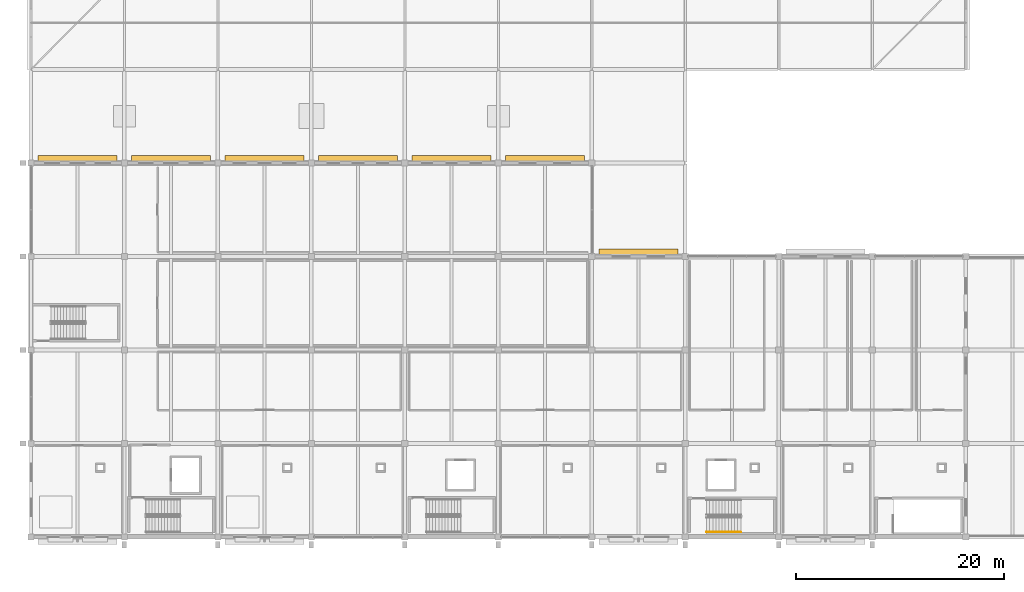
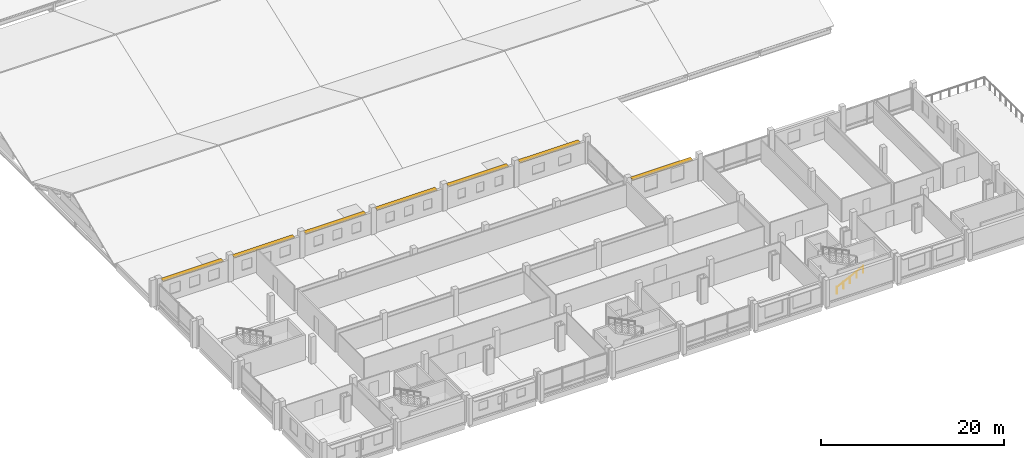
# One storey, part 159 of 163: 7 shading devices, 1 railing.
"""IFC4 building model written with IfcOpenShell, lengths in metres."""

from ifc_helpers import new_model, si_unit, direction, frame, origin, origin_2d, place, context, subcontext, project, spatial, rectangle, circle, extrude, material, layer, layer_set, type_object, element, save


model = new_model("IFC4")

# Units and contexts
model_context = context("Model", 3, precision=1e-05, world=origin(), true_north=direction((0.0, 1.0)))
body_context = subcontext(model_context, "Body", "Model", "MODEL_VIEW")
ifc_project = project(units=[si_unit("LENGTHUNIT", "METRE"), si_unit("AREAUNIT", "SQUARE_METRE"), si_unit("VOLUMEUNIT", "CUBIC_METRE"), si_unit("PLANEANGLEUNIT", "RADIAN"), si_unit("MASSUNIT", "GRAM", prefix="KILO")], contexts=[model_context])

# Site, building, storey
site_placement = place(None, origin())
site = spatial("IfcSite", under=ifc_project, at=site_placement, CompositionType="ELEMENT")
building_placement = place(site_placement, origin())
building = spatial("IfcBuilding", under=site, at=building_placement, Name="Tharagai Park Tramway Depot", CompositionType="ELEMENT")
storey_placement = place(building_placement, frame((0.0, 0.0, 8.39990234375)))
storey = spatial("IfcBuildingStorey", under=building, at=storey_placement, Name="L02", CompositionType="ELEMENT", Elevation=8.39990234375)

# Railing
ifc_material_1 = material(Name="Galvanised steel", Category="steel")
railing_type = type_object("IfcRailingType", Name="HR-03", PredefinedType="HANDRAIL", material=ifc_material_1)
railing_placement = place(storey_placement, frame((65.0400390625, 0.449951171875, 0.150146484375)))
element("IfcRailing", 1, at=railing_placement, inside=storey, type_object=railing_type, Name="L02 ST-04 stair handrail 1", PredefinedType="HANDRAIL", context=body_context, shape_type="SweptSolid", body=[
    extrude(circle(Radius=0.02392578125, at=origin_2d()), frame((0.0, 0.0, 0.8759765625), z_axis=(0.894440424912, 0.0, 0.447187126696), x_axis=(0.0, 1.0, 0.0)), (0.0, 0.0, 1.0), 3.689453125),
    extrude(circle(Radius=0.02099609375, at=origin_2d()), origin(), (0.0, 0.0, 1.0), 0.851806640625),
    extrude(circle(Radius=0.02099609375, at=origin_2d()), frame((0.824951171875, 0.0, 0.41259765625)), (0.0, 0.0, 1.0), 0.851806640625),
    extrude(circle(Radius=0.02099609375, at=origin_2d()), frame((1.64990234375, 0.0, 0.824951171875)), (0.0, 0.0, 1.0), 0.851806640625),
    extrude(circle(Radius=0.02099609375, at=origin_2d()), frame((2.47509765625, 0.0, 1.2373046875)), (0.0, 0.0, 1.0), 0.851806640625),
    extrude(circle(Radius=0.02099609375, at=origin_2d()), frame((3.300048828125, 0.0, 1.64990234375)), (0.0, 0.0, 1.0), 0.851806640625),
])

# Shading devices
ifc_material_2 = material(Name="Anodised aluminium", Category="aluminium")
ifc_layer = layer(ifc_material_2, 0.090087890625)
ifc_layer_set = layer_set([ifc_layer], Name="Anodised aluminium")
shading_device_type = type_object("IfcShadingDeviceType", Name="SD-01", PredefinedType="SHUTTER", material=ifc_layer_set)
for number, where, z_axis, x_axis, name in (
    (2, (58.5, 27.429931640625, 2.67724609375), (0.0, 0.0, 1.0), (1.0, 0.0, 0.0), "Monsoon Storm Louvre Hood SD-01 #59"),
    (3, (4.5, 36.429931640625, 2.63720703125), (0.0, 0.0, 1.0), (1.0, 0.0, 0.0), "Monsoon Storm Louvre Hood SD-01 #63"),
    (4, (13.5, 36.429931640625, 2.63720703125), (0.0, 0.0, 1.0), (1.0, 0.0, 0.0), "Monsoon Storm Louvre Hood SD-01 #64"),
    (5, (22.5, 36.429931640625, 2.63720703125), (0.0, 0.0, 1.0), (1.0, 0.0, 0.0), "Monsoon Storm Louvre Hood SD-01 #65"),
    (6, (31.5, 36.429931640625, 2.67724609375), (0.0, 0.0, 1.0), (1.0, 0.0, 0.0), "Monsoon Storm Louvre Hood SD-01 #66"),
    (7, (40.5, 36.429931640625, 2.67724609375), (0.0, 0.0, 1.0), (1.0, 0.0, 0.0), "Monsoon Storm Louvre Hood SD-01 #67"),
    (8, (49.5, 36.429931640625, 2.67724609375), (0.0, 0.0, 1.0), (1.0, 0.0, 0.0), "Monsoon Storm Louvre Hood SD-01 #68"),
):
    element("IfcShadingDevice", number, at=place(storey_placement, frame(where, z_axis=z_axis, x_axis=x_axis)), inside=storey, type_object=shading_device_type, Name=name, PredefinedType="SHUTTER", context=body_context, shape_type="SweptSolid", body=[
        extrude(rectangle(XDim=7.60400390625, YDim=0.580078125, at=origin_2d()), origin(), (0.0, 0.0, 1.0), 0.090087890625),
    ])

save(model, "model.ifc")
